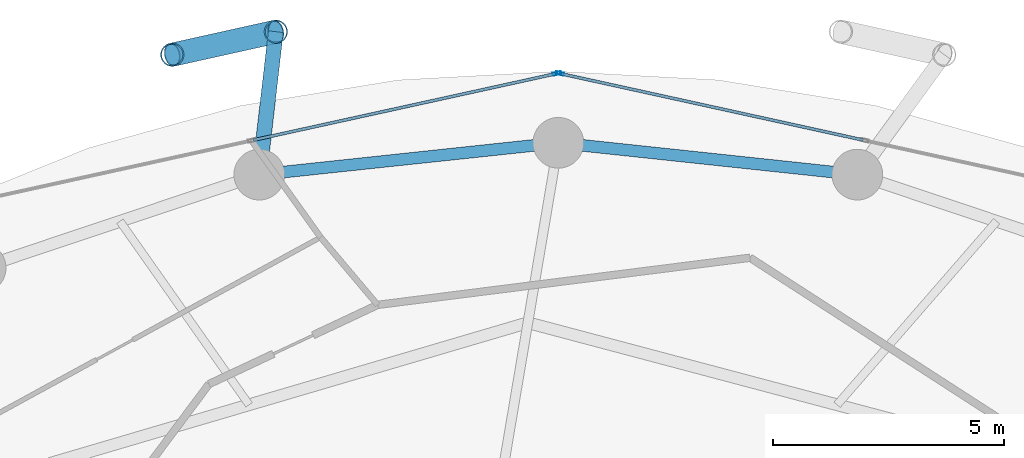
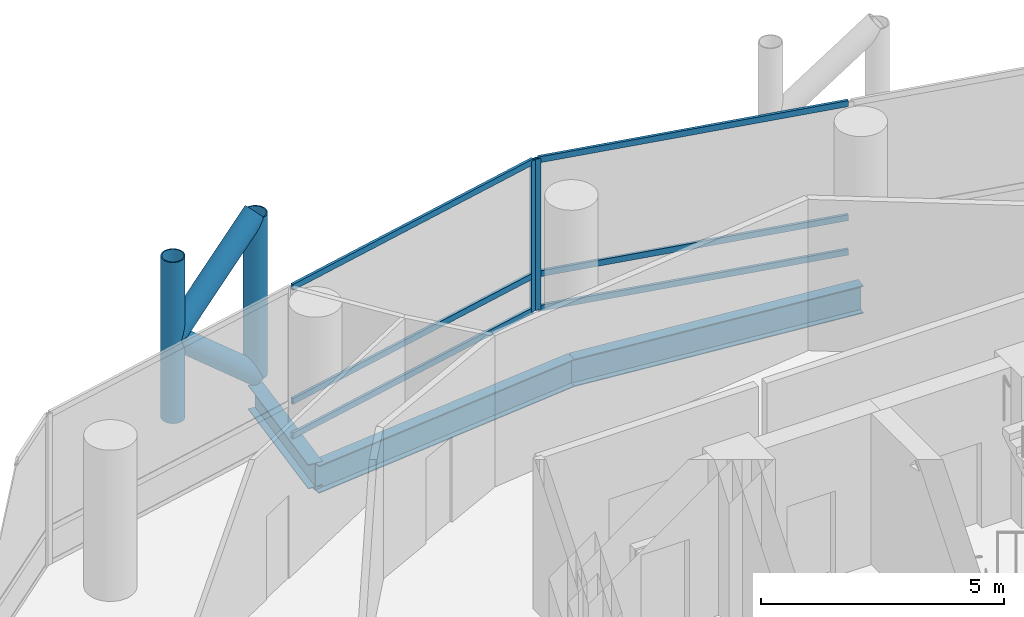
# One storey, part 16 of 24: 12 members, 3 beams, 2 elements without a shape of their own.
"""IFC4 building model written with IfcOpenShell, lengths in metres."""

from ifc_helpers import new_model, si_unit, direction, frame, origin, origin_2d, place, context, subcontext, project, spatial, hollow_rectangle, hollow_circle, i_section, extrude, material, layer, layer_set, material_profile, profile_set, type_object, element, aggregate, save


model = new_model("IFC4")

# Units and contexts
model_context = context("Model", 3, precision=1e-05, world=origin(), true_north=direction((0.0, 1.0)))
body_context = subcontext(model_context, "Body", "Model", "MODEL_VIEW")
ifc_project = project(units=[si_unit("LENGTHUNIT", "METRE"), si_unit("AREAUNIT", "SQUARE_METRE"), si_unit("VOLUMEUNIT", "CUBIC_METRE"), si_unit("PLANEANGLEUNIT", "RADIAN"), si_unit("MASSUNIT", "GRAM", prefix="KILO")], contexts=[model_context])

# Site, building, storey
site_placement = place(None, origin())
site = spatial("IfcSite", under=ifc_project, at=site_placement, CompositionType="ELEMENT")
building_placement = place(site_placement, origin())
building = spatial("IfcBuilding", under=site, at=building_placement, Name="Nuhasar Tower", CompositionType="ELEMENT")
storey_placement = place(building_placement, frame((0.0, 0.0, 85.800048828125)))
storey = spatial("IfcBuildingStorey", under=building, at=storey_placement, Name="L20", CompositionType="ELEMENT", Elevation=85.800048828125)

# Beams
ifc_material_1 = material(Name="Steel S355", Category="steel")
ifc_material_profile_1 = material_profile(ifc_material_1, i_section(OverallWidth=0.256103515625, OverallDepth=0.693115234375, WebThickness=0.014404296875, FlangeThickness=0.023681640625, at=origin_2d()), Name="W27X114")
ifc_profile_set_1 = profile_set([ifc_material_profile_1], Name="Steel S355")
beam_type_1 = type_object("IfcBeamType", Name="BM-RING-W27X114", PredefinedType="SPANDREL", material=ifc_profile_set_1)
for number, where, z_axis, x_axis, name in (
    (1, (45.48291015625, 46.360107421875, -0.59716796875), (-0.994384554061, 0.105827022286, 0.0), (-0.105827022286, -0.994384554061, 0.0), "L20 Perimeter Ring Spandrel 06"),
    (2, (39.0, 47.050048828125, -0.59716796875), (-0.994384554061, -0.105827022286, 0.0), (0.105827022286, -0.994384554061, 0.0), "L20 Perimeter Ring Spandrel 07"),
):
    element("IfcBeam", number, at=place(storey_placement, frame(where, z_axis=z_axis, x_axis=x_axis)), inside=storey, type_object=beam_type_1, Name=name, PredefinedType="SPANDREL", context=body_context, shape_type="SweptSolid", body=[
        extrude(i_section(OverallWidth=0.256103515625, OverallDepth=0.693115234375, WebThickness=0.014404296875, FlangeThickness=0.023681640625, at=origin_2d()), origin(), (0.0, 0.0, 1.0), 6.51953125),
    ])
ifc_material_profile_2 = material_profile(ifc_material_1, i_section(OverallWidth=0.323974609375, OverallDepth=0.611083984375, WebThickness=0.0126953125, FlangeThickness=0.01904296875, at=origin_2d()), Name="W24X104")
ifc_profile_set_2 = profile_set([ifc_material_profile_2], Name="Steel S355")
beam_type_2 = type_object("IfcBeamType", Name="BM-TIE-W24X104", PredefinedType="BEAM", material=ifc_profile_set_2)
beam_placement = place(storey_placement, frame((32.51708984375, 46.360107421875, -0.554931640625), z_axis=(0.115042934281, 0.993360520291, 0.0), x_axis=(-0.993360520291, 0.115042934281, 0.0)))
element("IfcBeam", 3, at=beam_placement, inside=storey, type_object=beam_type_2, Name="L20 Exoskeleton Node Tie Beam 04", PredefinedType="BEAM", context=body_context, shape_type="SweptSolid", body=[
    extrude(i_section(OverallWidth=0.323974609375, OverallDepth=0.611083984375, WebThickness=0.0126953125, FlangeThickness=0.01904296875, at=origin_2d()), origin(), (0.0, 0.0, 1.0), 3.11962890625),
])

# Curtain wall, member
ifc_material_2 = material(Name="Aluminium 6063-T6", Category="aluminium")
ifc_layer = layer(ifc_material_2, 0.199951171875)
ifc_layer_set = layer_set([ifc_layer], Name="Aluminium 6063-T6")
curtain_wall_type = type_object("IfcCurtainWallType", Name="CW-Z1-OFF", PredefinedType="NOTDEFINED", material=ifc_layer_set)
curtain_wall_1_placement = place(storey_placement, origin())
curtain_wall_1 = element("IfcCurtainWall", 4, at=curtain_wall_1_placement, inside=storey, type_object=curtain_wall_type, Name="L20 Unitised Curtain Wall 03", PredefinedType="NOTDEFINED")
ifc_material_profile_3 = material_profile(ifc_material_2, hollow_rectangle(XDim=0.06494140625, YDim=0.179931640625, WallThickness=0.0048828125, at=origin_2d()), Name="CWM-2")
ifc_profile_set_3 = profile_set([ifc_material_profile_3], Name="Aluminium 6063-T6")
member_type_1 = type_object("IfcMemberType", Name="CW-MUL-S2", PredefinedType="MULLION", material=ifc_profile_set_3)
member_1_placement = place(storey_placement, frame((39.03173828125, 48.552978515625, 0.0), z_axis=(0.0, 0.0, 1.0), x_axis=(-0.214398737637, -0.976746221544, 0.0)))
member_1 = element("IfcMember", 5, at=member_1_placement, type_object=member_type_1, Name="CW-Z1 mullion 3", PredefinedType="MULLION", context=body_context, shape_type="SweptSolid", body=[
    extrude(hollow_rectangle(XDim=0.06494140625, YDim=0.179931640625, WallThickness=0.0048828125, at=origin_2d()), origin(), (0.0, 0.0, 1.0), 3.800048828125),
])

curtain_wall_2_placement = place(storey_placement, origin())
curtain_wall_2 = element("IfcCurtainWall", 6, at=curtain_wall_2_placement, inside=storey, type_object=curtain_wall_type, Name="L20 Unitised Curtain Wall 04", PredefinedType="NOTDEFINED")
member_2_placement = place(storey_placement, frame((38.96826171875, 48.552978515625, 0.0), z_axis=(0.0, 0.0, 1.0), x_axis=(0.214398737637, -0.976746221544, 0.0)))
member_2 = element("IfcMember", 7, at=member_2_placement, type_object=member_type_1, Name="CW-Z1 mullion 1", PredefinedType="MULLION", context=body_context, shape_type="SweptSolid", body=[
    extrude(hollow_rectangle(XDim=0.06494140625, YDim=0.179931640625, WallThickness=0.0048828125, at=origin_2d()), origin(), (0.0, 0.0, 1.0), 3.800048828125),
])

# Member
ifc_material_profile_4 = material_profile(ifc_material_2, hollow_rectangle(XDim=0.06494140625, YDim=0.14990234375, WallThickness=0.00439453125, at=origin_2d()), Name="CWT-2")
ifc_profile_set_4 = profile_set([ifc_material_profile_4], Name="Aluminium 6063-T6")
member_type_2 = type_object("IfcMemberType", Name="CW-TRN-S2", PredefinedType="USERDEFINED", material=ifc_profile_set_4)
member_3_placement = place(storey_placement, frame((45.608154296875, 47.109375, 0.032470703125), z_axis=(-0.976740248595, 0.214425947065, 0.0), x_axis=(-0.214425947065, -0.976740248595, 0.0)))
member_3 = element("IfcMember", 8, at=member_3_placement, type_object=member_type_2, Name="CW-Z1 transom 2.1", ObjectType="TRANSOM", PredefinedType="USERDEFINED", context=body_context, shape_type="SweptSolid", body=[
    extrude(hollow_rectangle(XDim=0.06494140625, YDim=0.14990234375, WallThickness=0.00439453125, at=origin_2d()), origin(), (0.0, 0.0, 1.0), 6.700439453125),
])

member_4_placement = place(storey_placement, frame((45.608154296875, 47.109375, 0.89990234375), z_axis=(-0.976740248595, 0.214425947065, 0.0), x_axis=(-0.214425947065, -0.976740248595, 0.0)))
member_4 = element("IfcMember", 9, at=member_4_placement, type_object=member_type_2, Name="CW-Z1 transom 2.2", ObjectType="TRANSOM", PredefinedType="USERDEFINED", context=body_context, shape_type="SweptSolid", body=[
    extrude(hollow_rectangle(XDim=0.06494140625, YDim=0.14990234375, WallThickness=0.00439453125, at=origin_2d()), origin(), (0.0, 0.0, 1.0), 6.700439453125),
])

member_5_placement = place(storey_placement, frame((45.608154296875, 47.109375, 3.767333984375), z_axis=(-0.976740248595, 0.214425947065, 0.0), x_axis=(-0.214425947065, -0.976740248595, 0.0)))
member_5 = element("IfcMember", 10, at=member_5_placement, type_object=member_type_2, Name="CW-Z1 transom 2.3", ObjectType="TRANSOM", PredefinedType="USERDEFINED", context=body_context, shape_type="SweptSolid", body=[
    extrude(hollow_rectangle(XDim=0.06494140625, YDim=0.14990234375, WallThickness=0.00439453125, at=origin_2d()), origin(), (0.0, 0.0, 1.0), 6.700439453125),
])

aggregate(curtain_wall_1, [member_1, member_3, member_4, member_5])

member_6_placement = place(storey_placement, frame((38.9365234375, 48.546142578125, 0.032470703125), z_axis=(-0.976740248595, -0.214425947065, 0.0), x_axis=(0.214425947065, -0.976740248595, 0.0)))
member_6 = element("IfcMember", 11, at=member_6_placement, type_object=member_type_2, Name="CW-Z1 transom 1.1", ObjectType="TRANSOM", PredefinedType="USERDEFINED", context=body_context, shape_type="SweptSolid", body=[
    extrude(hollow_rectangle(XDim=0.06494140625, YDim=0.14990234375, WallThickness=0.00439453125, at=origin_2d()), origin(), (0.0, 0.0, 1.0), 6.700439453125),
])

member_7_placement = place(storey_placement, frame((38.9365234375, 48.546142578125, 0.89990234375), z_axis=(-0.976740248595, -0.214425947065, 0.0), x_axis=(0.214425947065, -0.976740248595, 0.0)))
member_7 = element("IfcMember", 12, at=member_7_placement, type_object=member_type_2, Name="CW-Z1 transom 1.2", ObjectType="TRANSOM", PredefinedType="USERDEFINED", context=body_context, shape_type="SweptSolid", body=[
    extrude(hollow_rectangle(XDim=0.06494140625, YDim=0.14990234375, WallThickness=0.00439453125, at=origin_2d()), origin(), (0.0, 0.0, 1.0), 6.700439453125),
])

member_8_placement = place(storey_placement, frame((38.9365234375, 48.546142578125, 3.767333984375), z_axis=(-0.976740248595, -0.214425947065, 0.0), x_axis=(0.214425947065, -0.976740248595, 0.0)))
member_8 = element("IfcMember", 13, at=member_8_placement, type_object=member_type_2, Name="CW-Z1 transom 1.3", ObjectType="TRANSOM", PredefinedType="USERDEFINED", context=body_context, shape_type="SweptSolid", body=[
    extrude(hollow_rectangle(XDim=0.06494140625, YDim=0.14990234375, WallThickness=0.00439453125, at=origin_2d()), origin(), (0.0, 0.0, 1.0), 6.700439453125),
])

aggregate(curtain_wall_2, [member_2, member_6, member_7, member_8])

# Members
ifc_material_3 = material(Name="Steel S460", Category="steel")
ifc_material_profile_5 = material_profile(ifc_material_3, hollow_circle(Radius=0.25390625, WallThickness=0.025390625, at=origin_2d()), Name="HSS508X25.4")
ifc_profile_set_5 = profile_set([ifc_material_profile_5], Name="Steel S460")
member_type_3 = type_object("IfcMemberType", Name="EXO-BRONZE-508", PredefinedType="BRACE", material=ifc_profile_set_5)
for number, where, z_axis, x_axis, name in (
    (14, (32.8759765625, 49.458984375, 0.0), (0.0, 0.0, 1.0), (1.0, 0.0, 0.0), "L20 Exoskeleton Chord Column EC-04A"),
    (15, (30.6298828125, 48.9599609375, 0.0), (0.0, 0.0, 1.0), (1.0, 0.0, 0.0), "L20 Exoskeleton Chord Column EC-04B"),
):
    element("IfcMember", number, at=place(storey_placement, frame(where, z_axis=z_axis, x_axis=x_axis)), inside=storey, type_object=member_type_3, Name=name, PredefinedType="BRACE", context=body_context, shape_type="SweptSolid", body=[
        extrude(hollow_circle(Radius=0.25390625, WallThickness=0.025390625, at=origin_2d()), origin(), (0.0, 0.0, 1.0), 4.050048828125),
    ])
member_9_placement = place(storey_placement, frame((32.8759765625, 49.458984375, 0.0), z_axis=(-0.732821471909, -0.162813813976, 0.660654487828), x_axis=(0.216885517571, -0.97619704582, 0.0)))
element("IfcMember", 16, at=member_9_placement, inside=storey, type_object=member_type_3, Name="L20 Bronze Diagrid Brace W1-04", PredefinedType="BRACE", context=body_context, shape_type="SweptSolid", body=[
    extrude(hollow_circle(Radius=0.25390625, WallThickness=0.025390625, at=origin_2d()), origin(), (0.0, 0.0, 1.0), 3.06494140625),
])
member_10_placement = place(storey_placement, frame((30.6298828125, 48.9599609375, 2.02490234375), z_axis=(0.732782908552, 0.162805246204, 0.660699372439), x_axis=(-0.216885517571, 0.97619704582, 0.0)))
element("IfcMember", 17, at=member_10_placement, inside=storey, type_object=member_type_3, Name="L20 Bronze Diagrid Brace W2-04", PredefinedType="BRACE", context=body_context, shape_type="SweptSolid", body=[
    extrude(hollow_circle(Radius=0.25390625, WallThickness=0.025390625, at=origin_2d()), origin(), (0.0, 0.0, 1.0), 3.065185546875),
])

save(model, "model.ifc")
